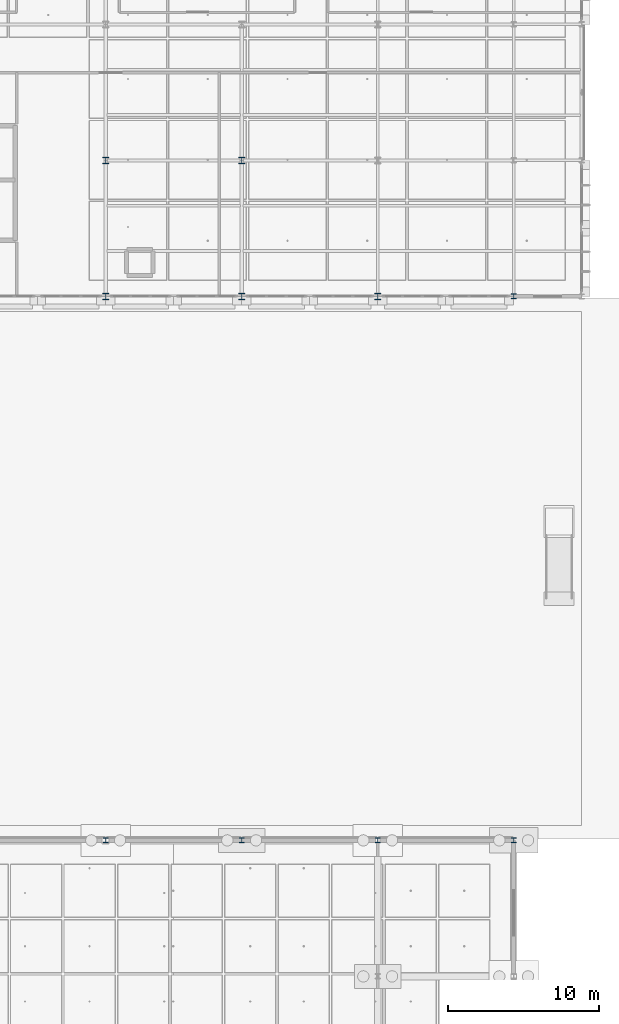
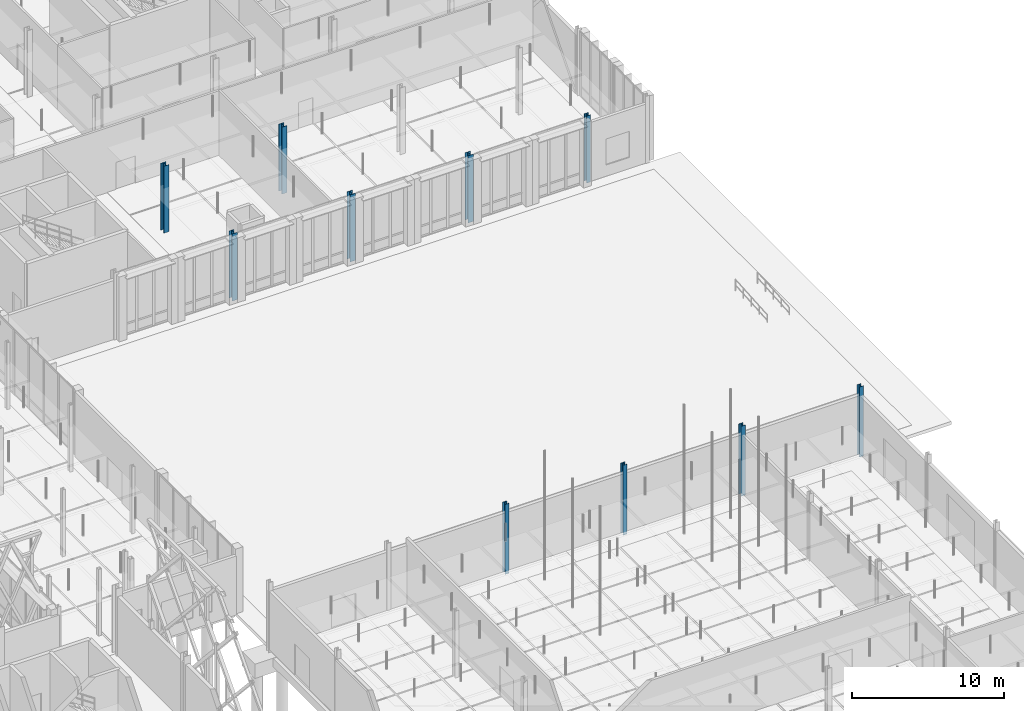
# One storey, part 25 of 180: 10 columns.
"""IFC4 building model written with IfcOpenShell, lengths in metres."""

from ifc_helpers import new_model, si_unit, direction, frame, origin, origin_2d, place, context, subcontext, project, spatial, i_section, extrude, material, material_profile, profile_set, type_object, element, save


model = new_model("IFC4")

# Units and contexts
model_context = context("Model", 3, precision=1e-05, world=origin(), true_north=direction((0.0, 1.0)))
body_context = subcontext(model_context, "Body", "Model", "MODEL_VIEW")
ifc_project = project(units=[si_unit("LENGTHUNIT", "METRE"), si_unit("AREAUNIT", "SQUARE_METRE"), si_unit("VOLUMEUNIT", "CUBIC_METRE"), si_unit("PLANEANGLEUNIT", "RADIAN"), si_unit("MASSUNIT", "GRAM", prefix="KILO"), si_unit("THERMODYNAMICTEMPERATUREUNIT", "KELVIN"), si_unit("POWERUNIT", "WATT")], contexts=[model_context])

# Site, building, storey
site_placement = place(None, origin())
site = spatial("IfcSite", under=ifc_project, at=site_placement, CompositionType="ELEMENT")
building_placement = place(site_placement, origin())
building = spatial("IfcBuilding", under=site, at=building_placement, Name="Tallowbark Science Centre", CompositionType="ELEMENT")
storey_placement = place(building_placement, origin())
storey = spatial("IfcBuildingStorey", under=building, at=storey_placement, Name="L00", CompositionType="ELEMENT", Elevation=0.0)

# Columns
ifc_material = material(Name="Structural Steel Grade 300PLUS (300 MPa)", Category="steel")
ifc_material_profile_1 = material_profile(ifc_material, i_section(OverallWidth=0.311279296875, OverallDepth=0.3271484375, WebThickness=0.015625, FlangeThickness=0.02490234375, FilletRadius=0.0166015625, at=origin_2d()), Name="310UC158")
ifc_profile_set_1 = profile_set([ifc_material_profile_1], Name="Structural Steel Grade 300PLUS (300 MPa)")
column_type_1 = type_object("IfcColumnType", Name="COL-UC310A", PredefinedType="COLUMN", material=ifc_profile_set_1)
for number, where, z_axis, x_axis, name in (
    (1, (130.5, 36.0, -0.239990234375), (0.0, 0.0, 1.0), (1.0, 0.0, 0.0), "Column THT-M2_4 L00"),
    (2, (139.5, 36.0, -0.239990234375), (0.0, 0.0, 1.0), (1.0, 0.0, 0.0), "Column THT-M3_4 L00"),
    (3, (148.5, 36.0, -0.239990234375), (0.0, 0.0, 1.0), (1.0, 0.0, 0.0), "Column THT-M4_4 L00"),
    (4, (157.5, 36.0, -0.239990234375), (0.0, 0.0, 1.0), (1.0, 0.0, 0.0), "Column THT-M5_4 L00"),
):
    element("IfcColumn", number, at=place(storey_placement, frame(where, z_axis=z_axis, x_axis=x_axis)), inside=storey, type_object=column_type_1, Name=name, PredefinedType="COLUMN", context=body_context, shape_type="SweptSolid", body=[
        extrude(i_section(OverallWidth=0.311279296875, OverallDepth=0.3271484375, WebThickness=0.015625, FlangeThickness=0.02490234375, FilletRadius=0.0166015625, at=origin_2d()), origin(), (0.0, 0.0, 1.0), 5.639892578125),
    ])
ifc_material_profile_2 = material_profile(ifc_material, i_section(OverallWidth=0.30908203125, OverallDepth=0.320556640625, WebThickness=0.013916015625, FlangeThickness=0.021728515625, FilletRadius=0.0166015625, at=origin_2d()), Name="310UC137")
ifc_profile_set_2 = profile_set([ifc_material_profile_2], Name="Structural Steel Grade 300PLUS (300 MPa)")
column_type_2 = type_object("IfcColumnType", Name="COL-UC310B", PredefinedType="COLUMN", material=ifc_profile_set_2)
column_placement = place(storey_placement, frame((157.5, 72.0, 0.0), z_axis=(0.0, 0.0, 1.0), x_axis=(1.0, 0.0, 0.0)))
element("IfcColumn", 5, at=column_placement, inside=storey, type_object=column_type_2, Name="Column OBS-5_0 L00", PredefinedType="COLUMN", context=body_context, shape_type="SweptSolid", body=[
    extrude(i_section(OverallWidth=0.30908203125, OverallDepth=0.320556640625, WebThickness=0.013916015625, FlangeThickness=0.021728515625, FilletRadius=0.0166015625, at=origin_2d()), origin(), (0.0, 0.0, 1.0), 5.39990234375),
])
ifc_material_profile_3 = material_profile(ifc_material, i_section(OverallWidth=0.39990234375, OverallDepth=0.427978515625, WebThickness=0.02001953125, FlangeThickness=0.028076171875, FilletRadius=0.01611328125, at=origin_2d()), Name="400WC270")
ifc_profile_set_3 = profile_set([ifc_material_profile_3], Name="Structural Steel Grade 300PLUS (300 MPa)")
column_type_3 = type_object("IfcColumnType", Name="COL-WC400", PredefinedType="COLUMN", material=ifc_profile_set_3)
for number, where, z_axis, x_axis, name in (
    (6, (130.5, 72.0, 0.0), (0.0, 0.0, 1.0), (1.0, 0.0, 0.0), "Column OBS-2_0 L00"),
    (7, (130.5, 81.0, 0.0), (0.0, 0.0, 1.0), (1.0, 0.0, 0.0), "Column OBS-2_1 L00"),
    (8, (139.5, 72.0, 0.0), (0.0, 0.0, 1.0), (1.0, 0.0, 0.0), "Column OBS-3_0 L00"),
    (9, (139.5, 81.0, 0.0), (0.0, 0.0, 1.0), (1.0, 0.0, 0.0), "Column OBS-3_1 L00"),
    (10, (148.5, 72.0, 0.0), (0.0, 0.0, 1.0), (1.0, 0.0, 0.0), "Column OBS-4_0 L00"),
):
    element("IfcColumn", number, at=place(storey_placement, frame(where, z_axis=z_axis, x_axis=x_axis)), inside=storey, type_object=column_type_3, Name=name, PredefinedType="COLUMN", context=body_context, shape_type="SweptSolid", body=[
        extrude(i_section(OverallWidth=0.39990234375, OverallDepth=0.427978515625, WebThickness=0.02001953125, FlangeThickness=0.028076171875, FilletRadius=0.01611328125, at=origin_2d()), origin(), (0.0, 0.0, 1.0), 5.39990234375),
    ])

save(model, "model.ifc")
